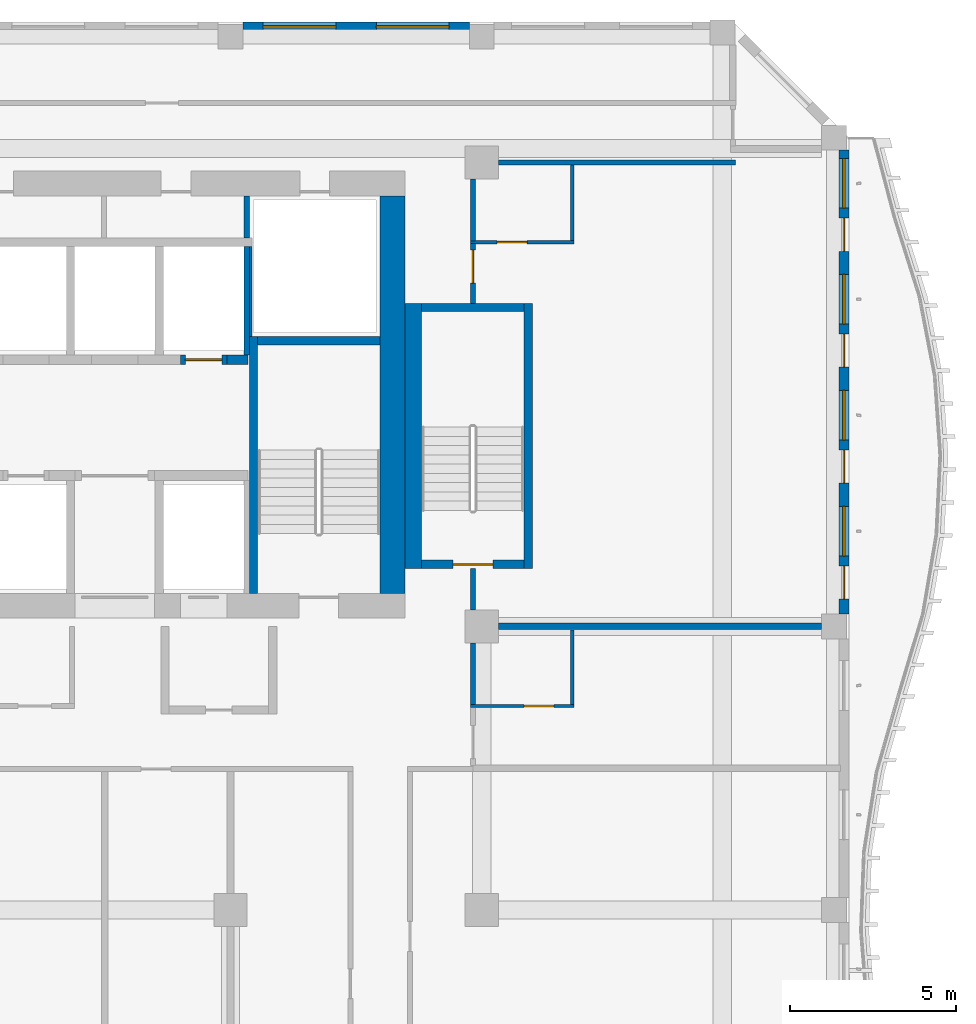
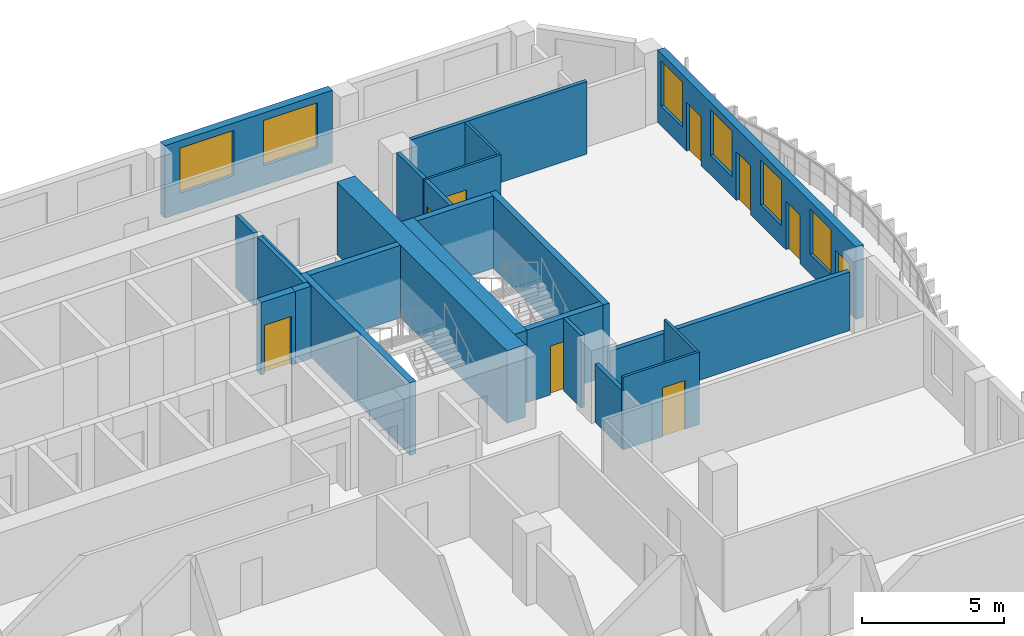
# One storey, part 9 of 21: 24 walls, 9 doors, 6 windows, 15 openings.
"""IFC4 building model written with IfcOpenShell, lengths in metres."""

import ifcopenshell
import ifcopenshell.guid

model = None  # the IFC model being written
_history = None  # IfcOwnerHistory: only IFC2X3 demands one
_inside = {}  # id of a spatial element -> (the spatial element, [elements in it])
_under = {}  # id of a project, library or spatial element -> (it, [spatial elements below it])
_declared = {}  # id of a project -> (the project, [libraries it declares])
_typed = {}  # id of a type object -> (the type object, [elements of that type])
_made_of = {}  # id of a material, layer set ... -> (it, [elements and type objects made of it])


def new_model(schema):
    """Start an empty IFC model of exactly this schema.

    Asked for "IFC4X3", IfcOpenShell would pick the latest addendum, in which some entities
    have other attributes; the version numbers below select the first issue.
    IFC2X3 requires an IfcOwnerHistory on every rooted entity: one is made here for all.
    """
    global model, _history
    if schema == "IFC4X3":
        model = ifcopenshell.file(schema_version=(4, 3, 0, 0))
    else:
        model = ifcopenshell.file(schema=schema)
    _inside.clear()
    _under.clear()
    _declared.clear()
    _typed.clear()
    _made_of.clear()
    _history = None
    if model.schema == "IFC2X3":
        org = make("IfcOrganization", Name="unknown")
        user = make(
            "IfcPersonAndOrganization",
            ThePerson=make("IfcPerson", FamilyName="unknown"),
            TheOrganization=org,
        )
        app = make(
            "IfcApplication",
            ApplicationDeveloper=org,
            Version="unknown",
            ApplicationFullName="unknown",
            ApplicationIdentifier="unknown",
        )
        _history = make(
            "IfcOwnerHistory",
            OwningUser=user,
            OwningApplication=app,
            ChangeAction="ADDED",
            CreationDate=0,
        )
    return model


def make(cls, **values):
    """One entity of the class cls with the attributes given. An attribute that is None is left unset."""
    return model.create_entity(
        cls, **{name: value for name, value in values.items() if value is not None}
    )


def rooted(cls, **values):
    """An entity with a GlobalId (a new one), such as an element, a storey or a relation."""
    return make(cls, GlobalId=ifcopenshell.guid.new(), OwnerHistory=_history, **values)


def si_unit(unit_type, name, prefix=None):
    """IfcSIUnit, for example si_unit("LENGTHUNIT", "METRE", prefix="MILLI")."""
    return make("IfcSIUnit", UnitType=unit_type, Prefix=prefix, Name=name)


def assignment(units):
    """IfcUnitAssignment: the units of a project."""
    return None if units is None else make("IfcUnitAssignment", Units=units)


def point(xyz):
    """IfcCartesianPoint."""
    return None if xyz is None else make("IfcCartesianPoint", Coordinates=xyz)


def direction(xyz):
    """IfcDirection."""
    return None if xyz is None else make("IfcDirection", DirectionRatios=xyz)


def frame(location, z_axis=None, x_axis=None):
    """IfcAxis2Placement3D, a coordinate frame: its origin and axes. An axis left out is left unset."""
    return make(
        "IfcAxis2Placement3D",
        Location=point(location),
        Axis=direction(z_axis),
        RefDirection=direction(x_axis),
    )


def frame_2d(location, x_axis=None):
    """IfcAxis2Placement2D, a coordinate frame in the plane: its origin and x axis."""
    return make(
        "IfcAxis2Placement2D", Location=point(location), RefDirection=direction(x_axis)
    )


def origin():
    """The frame at (0, 0, 0) with its axes left unset."""
    return frame((0.0, 0.0, 0.0))


def place(relative_to, where):
    """IfcLocalPlacement: puts the frame where relative to a parent placement (None: the world)."""
    return make(
        "IfcLocalPlacement", PlacementRelTo=relative_to, RelativePlacement=where
    )


def context(
    kind, dimensions, precision=None, world=None, true_north=None, identifier=None
):
    """IfcGeometricRepresentationContext, for example the 3D "Model" context."""
    return make(
        "IfcGeometricRepresentationContext",
        ContextIdentifier=identifier,
        ContextType=kind,
        CoordinateSpaceDimension=dimensions,
        Precision=precision,
        WorldCoordinateSystem=world,
        TrueNorth=true_north,
    )


def subcontext(parent, identifier, kind, view, scale=None):
    """IfcGeometricRepresentationSubContext, for example "Body" below "Model"."""
    return make(
        "IfcGeometricRepresentationSubContext",
        ContextIdentifier=identifier,
        ContextType=kind,
        ParentContext=parent,
        TargetScale=scale,
        TargetView=view,
    )


def project(units=None, contexts=None):
    """IfcProject with its units and contexts."""
    return rooted(
        "IfcProject",
        Name="project",
        RepresentationContexts=contexts,
        UnitsInContext=assignment(units),
    )


def spatial(cls, under=None, at=None, **own):
    """A site, building, storey or space (cls), placed at a placement, below another one or the project."""
    s = rooted(cls, ObjectPlacement=at, **own)
    if under is not None:
        _under.setdefault(under.id(), (under, []))[1].append(s)
    return s


def profile(cls, at=None, kind="AREA", **sizes):
    """A parametric profile (cls). Its sizes go by their IFC names, for example OverallWidth=200.0."""
    return make(cls, ProfileType=kind, Position=at, **sizes)


def rectangle(**sizes):
    """IfcRectangleProfileDef."""
    return profile("IfcRectangleProfileDef", **sizes)


def extrude(swept, where, along, depth):
    """IfcExtrudedAreaSolid: the profile swept, set in the frame where, extruded along a direction by depth."""
    return make(
        "IfcExtrudedAreaSolid",
        SweptArea=swept,
        Position=where,
        ExtrudedDirection=direction(along),
        Depth=depth,
    )


def shape(context_of_items, identifier, shape_type, items):
    """IfcShapeRepresentation: the items that make up one representation, for example the "Body"."""
    return make(
        "IfcShapeRepresentation",
        ContextOfItems=context_of_items,
        RepresentationIdentifier=identifier,
        RepresentationType=shape_type,
        Items=items,
    )


def source(mapping_origin, context_of_items, identifier, shape_type, items):
    """IfcRepresentationMap: a shape defined once, which mapped items show again and again."""
    return make(
        "IfcRepresentationMap",
        MappingOrigin=mapping_origin,
        MappedRepresentation=shape(context_of_items, identifier, shape_type, items),
    )


def transform(
    local_origin,
    x_axis=None,
    y_axis=None,
    z_axis=None,
    scale=None,
    scale2=None,
    scale3=None,
    uniform=True,
):
    """IfcCartesianTransformationOperator3D, or its non-uniform kind. x_axis, y_axis, z_axis: its Axis1, 2, 3."""
    if uniform:
        return make(
            "IfcCartesianTransformationOperator3D",
            Axis1=direction(x_axis),
            Axis2=direction(y_axis),
            LocalOrigin=point(local_origin),
            Scale=scale,
            Axis3=direction(z_axis),
        )
    return make(
        "IfcCartesianTransformationOperator3DnonUniform",
        Axis1=direction(x_axis),
        Axis2=direction(y_axis),
        LocalOrigin=point(local_origin),
        Scale=scale,
        Axis3=direction(z_axis),
        Scale2=scale2,
        Scale3=scale3,
    )


def mapped(mapping_source, mapping_target):
    """IfcMappedItem: shows the shape of a source again, moved by a transform."""
    return make(
        "IfcMappedItem", MappingSource=mapping_source, MappingTarget=mapping_target
    )


def material(Name=None, Category=None):
    """IfcMaterial."""
    return make("IfcMaterial", Name=Name, Category=Category)


def layer(
    of_material, thickness, ventilated=None, Name=None, Category=None, Priority=None
):
    """IfcMaterialLayer: one layer of a wall or slab, of a material (None: an air gap)."""
    return make(
        "IfcMaterialLayer",
        Material=of_material,
        LayerThickness=thickness,
        IsVentilated=ventilated,
        Name=Name,
        Category=Category,
        Priority=Priority,
    )


def layer_set(layers, Name=None):
    """IfcMaterialLayerSet."""
    return make("IfcMaterialLayerSet", MaterialLayers=layers, LayerSetName=Name)


def made_of(thing, what):
    """Note that an element or type object is made of a material, layer set ...; save() writes the relation."""
    if what is not None:
        _made_of.setdefault(what.id(), (what, []))[1].append(thing)
    return thing


def type_object(cls, material=None, **own):
    """A type object (cls), such as IfcWallType, which elements share."""
    return made_of(rooted(cls, **own), material)


def element(
    cls,
    number,
    at=None,
    inside=None,
    cuts=None,
    type_object=None,
    material=None,
    context=None,
    identifier="Body",
    shape_type=None,
    held_by="IfcProductDefinitionShape",
    body=None,
    shapes=None,
    **own,
):
    """One element of the class cls, such as IfcWall. Its Tag is "e" and its number.

    at: its placement. inside: the storey or other place that contains it. cuts: it is an
    opening in that element (IfcRelVoidsElement). A single representation is given by context,
    identifier, shape_type and body (its items); several are given by shapes. held_by: the class
    of the entity that holds the representations. save() writes the other relations.
    """
    e = rooted(cls, Tag="e%d" % number, ObjectPlacement=at, **own)
    if body is not None:
        shapes = [shape(context, identifier, shape_type, body)]
    if shapes is not None:
        e.Representation = make(held_by, Representations=shapes)
    if inside is not None:
        _inside.setdefault(inside.id(), (inside, []))[1].append(e)
    if cuts is not None:
        rooted(
            "IfcRelVoidsElement", RelatingBuildingElement=cuts, RelatedOpeningElement=e
        )
    if type_object is not None:
        _typed.setdefault(type_object.id(), (type_object, []))[1].append(e)
    return made_of(e, material)


def fill(opening, filler):
    """IfcRelFillsElement: the door or window that sits in an opening."""
    return rooted(
        "IfcRelFillsElement",
        RelatingOpeningElement=opening,
        RelatedBuildingElement=filler,
    )


def aggregate(whole, parts):
    """IfcRelAggregates: a whole, such as a stair, and the parts it consists of."""
    return rooted("IfcRelAggregates", RelatingObject=whole, RelatedObjects=parts)


def save(model, path):
    """Write the relations noted so far, then the file.

    IfcRelAggregates (storeys below a building ...), IfcRelContainedInSpatialStructure (elements
    in a storey), IfcRelDefinesByType, IfcRelAssociatesMaterial and IfcRelDeclares: one each for
    every whole, place, type object, material and project.
    """
    for whole, parts in _under.values():
        aggregate(whole, parts)
    for where, things in _inside.values():
        rooted(
            "IfcRelContainedInSpatialStructure",
            RelatedElements=things,
            RelatingStructure=where,
        )
    for kind, things in _typed.values():
        rooted("IfcRelDefinesByType", RelatedObjects=things, RelatingType=kind)
    for what, things in _made_of.values():
        rooted("IfcRelAssociatesMaterial", RelatedObjects=things, RelatingMaterial=what)
    for by, libraries in _declared.values():
        rooted("IfcRelDeclares", RelatingContext=by, RelatedDefinitions=libraries)
    model.write(path)


model = new_model("IFC4")

# Units and contexts
model_context = context("Model", 3, precision=1e-05, world=origin(), true_north=direction((0.0, 1.0)))
body_context = subcontext(model_context, "Body", "Model", "MODEL_VIEW")
ifc_project = project(units=[si_unit("LENGTHUNIT", "METRE"), si_unit("AREAUNIT", "SQUARE_METRE"), si_unit("VOLUMEUNIT", "CUBIC_METRE"), si_unit("PLANEANGLEUNIT", "RADIAN"), si_unit("MASSUNIT", "GRAM", prefix="KILO")], contexts=[model_context])

# Site, building, storey
site_placement = place(None, origin())
site = spatial("IfcSite", under=ifc_project, at=site_placement, CompositionType="ELEMENT")
building_placement = place(site_placement, origin())
building = spatial("IfcBuilding", under=site, at=building_placement, Name="Kilnfold Tower and Market Hall", CompositionType="ELEMENT")
storey_placement = place(building_placement, frame((0.0, 0.0, 216.89990234375)))
storey = spatial("IfcBuildingStorey", under=building, at=storey_placement, Name="L53", CompositionType="ELEMENT", Elevation=216.89990234375)

# Wall
ifc_material_1 = material(Name="Gypsum board on steel studs", Category="steel")
ifc_layer_1 = layer(ifc_material_1, 0.14990234375)
ifc_layer_set_1 = layer_set([ifc_layer_1], Name="Gypsum board on steel studs")
wall_type_1 = type_object("IfcWallType", Name="WALL CORRIDOR 150", PredefinedType="PARTITIONING", material=ifc_layer_set_1)
wall_1_placement = place(storey_placement, frame((19.89990234375, 5.639892578125, 0.0), z_axis=(0.0, 0.0, 1.0), x_axis=(0.0, 1.0, 0.0)))
element("IfcWall", 1, at=wall_1_placement, inside=storey, type_object=wall_type_1, Name="Partition LY31.19", PredefinedType="PARTITIONING", context=body_context, shape_type="SweptSolid", body=[
    extrude(rectangle(XDim=1.860107421875, YDim=0.14990234375, at=frame_2d((0.93017578125, 0.0))), origin(), (0.0, 0.0, 1.0), 2.52001953125),
])

# Wall, opening, door
wall_2_placement = place(storey_placement, frame((19.89990234375, 17.75, 0.0), z_axis=(0.0, 0.0, 1.0), x_axis=(0.0, 1.0, 0.0)))
wall_2 = element("IfcWall", 2, at=wall_2_placement, inside=storey, type_object=wall_type_1, Name="Partition LY31.20", PredefinedType="PARTITIONING", context=body_context, shape_type="SweptSolid", body=[
    extrude(rectangle(XDim=1.81005859375, YDim=0.14990234375, at=frame_2d((0.905029296875, 0.0))), origin(), (0.0, 0.0, 1.0), 3.1201171875),
])
opening_1_placement = place(wall_2_placement, frame((0.610107421875, 0.0, 0.0)))
opening_1 = element("IfcOpeningElement", 3, at=opening_1_placement, cuts=wall_2, Name="Opening D1", PredefinedType="OPENING", context=body_context, shape_type="SweptSolid", body=[
    extrude(rectangle(XDim=1.0, YDim=2.10009765625, at=frame_2d((0.5, 1.050048828125))), frame((0.0, 0.0849609375, 0.0), z_axis=(0.0, -1.0, 0.0), x_axis=(1.0, 0.0, 0.0)), (0.0, 0.0, 1.0), 0.169921875),
])
ifc_material_2 = material(Name="Timber veneer door leaf in steel frame", Category="steel")
door_type_1 = type_object("IfcDoorType", Name="DOOR ENTRY 1000 X2100", OperationType="NOTDEFINED", PredefinedType="DOOR", material=ifc_material_2)
door_1_placement = place(opening_1_placement, origin())
door_1 = element("IfcDoor", 4, at=door_1_placement, inside=storey, type_object=door_type_1, Name="Door D1", OperationType="SINGLE_SWING_LEFT", OverallHeight=2.10009765625, OverallWidth=1.0, PredefinedType="DOOR", context=body_context, shape_type="SweptSolid", body=[
    extrude(rectangle(XDim=1.0, YDim=2.10009765625, at=frame_2d((0.5, 1.050048828125))), frame((0.0, 0.02490234375, 0.0), z_axis=(0.0, -1.0, 0.0), x_axis=(1.0, 0.0, 0.0)), (0.0, 0.0, 1.0), 0.050048828125),
])
fill(opening_1, door_1)

# Walls
wall_3_placement = place(storey_placement, frame((19.89990234375, 8.5, 0.0), z_axis=(0.0, 0.0, 1.0), x_axis=(0.0, 1.0, 0.0)))
element("IfcWall", 5, at=wall_3_placement, inside=storey, type_object=wall_type_1, Name="Partition LY31.21", PredefinedType="PARTITIONING", context=body_context, shape_type="SweptSolid", body=[
    extrude(rectangle(XDim=1.25, YDim=0.14990234375, at=frame_2d((0.625, 0.0))), origin(), (0.0, 0.0, 1.0), 3.1201171875),
])
wall_4_placement = place(storey_placement, frame((20.6669921875, 22.0, 0.0), z_axis=(0.0, 0.0, 1.0), x_axis=(1.0, 0.0, 0.0)))
element("IfcWall", 6, at=wall_4_placement, inside=storey, type_object=wall_type_1, Name="Partition LY31.22", PredefinedType="PARTITIONING", context=body_context, shape_type="SweptSolid", body=[
    extrude(rectangle(XDim=7.157958984375, YDim=0.14990234375, at=frame_2d((3.5791015625, 0.0))), origin(), (0.0, 0.0, 1.0), 3.1201171875),
])
wall_5_placement = place(storey_placement, frame((19.89990234375, 19.639892578125, 0.0), z_axis=(0.0, 0.0, 1.0), x_axis=(0.0, 1.0, 0.0)))
element("IfcWall", 7, at=wall_5_placement, inside=storey, type_object=wall_type_1, Name="Partition LY31.23", PredefinedType="PARTITIONING", context=body_context, shape_type="SweptSolid", body=[
    extrude(rectangle(XDim=1.860107421875, YDim=0.14990234375, at=frame_2d((0.93017578125, 0.0))), origin(), (0.0, 0.0, 1.0), 3.1201171875),
])

# Wall, opening, door
ifc_material_3 = material(Name="Gypsum board on steel studs", Category="steel")
ifc_layer_2 = layer(ifc_material_3, 0.10009765625)
ifc_layer_set_2 = layer_set([ifc_layer_2], Name="Gypsum board on steel studs")
wall_type_2 = type_object("IfcWallType", Name="WALL PARTITION 100", PredefinedType="PARTITIONING", material=ifc_layer_set_2)
wall_6_placement = place(storey_placement, frame((22.951904296875, 5.60009765625, 0.0), z_axis=(0.0, 0.0, 1.0), x_axis=(-1.0, 0.0, 0.0)))
wall_6 = element("IfcWall", 8, at=wall_6_placement, inside=storey, type_object=wall_type_2, Name="Partition LY31.85", PredefinedType="PARTITIONING", context=body_context, shape_type="SweptSolid", body=[
    extrude(rectangle(XDim=3.125, YDim=0.10009765625, at=frame_2d((1.5625, 0.0))), origin(), (0.0, 0.0, 1.0), 3.1201171875),
])
opening_2_placement = place(wall_6_placement, frame((0.60595703125, 0.0, 0.0)))
opening_2 = element("IfcOpeningElement", 9, at=opening_2_placement, cuts=wall_6, Name="Opening D3", PredefinedType="OPENING", context=body_context, shape_type="SweptSolid", body=[
    extrude(rectangle(XDim=0.89990234375, YDim=2.10009765625, at=frame_2d((0.449951171875, 1.050048828125))), frame((0.0, 0.06005859375, 0.0), z_axis=(0.0, -1.0, 0.0), x_axis=(1.0, 0.0, 0.0)), (0.0, 0.0, 1.0), 0.1201171875),
])
ifc_material_4 = material(Name="Timber veneer door leaf in steel frame", Category="steel")
door_type_2 = type_object("IfcDoorType", Name="DOOR WC 900 X2100", OperationType="NOTDEFINED", PredefinedType="DOOR", material=ifc_material_4)
door_2_placement = place(opening_2_placement, origin())
door_2 = element("IfcDoor", 10, at=door_2_placement, inside=storey, type_object=door_type_2, Name="Door D3", OperationType="SINGLE_SWING_LEFT", OverallHeight=2.10009765625, OverallWidth=0.89990234375, PredefinedType="DOOR", context=body_context, shape_type="SweptSolid", body=[
    extrude(rectangle(XDim=0.89990234375, YDim=2.10009765625, at=frame_2d((0.449951171875, 1.050048828125))), frame((0.0, 0.02490234375, 0.0), z_axis=(0.0, -1.0, 0.0), x_axis=(1.0, 0.0, 0.0)), (0.0, 0.0, 1.0), 0.050048828125),
])
fill(opening_2, door_2)

# Wall
wall_7_placement = place(storey_placement, frame((22.902099609375, 5.64990234375, 0.0), z_axis=(0.0, 0.0, 1.0), x_axis=(0.0, 1.0, 0.0)))
element("IfcWall", 11, at=wall_7_placement, inside=storey, type_object=wall_type_2, Name="Partition LY31.86", PredefinedType="PARTITIONING", context=body_context, shape_type="SweptSolid", body=[
    extrude(rectangle(XDim=2.25, YDim=0.10009765625, at=frame_2d((1.125, 0.0))), origin(), (0.0, 0.0, 1.0), 3.1201171875),
])

# Wall, opening, door
wall_8_placement = place(storey_placement, frame((22.951904296875, 19.60009765625, 0.0), z_axis=(0.0, 0.0, 1.0), x_axis=(-1.0, 0.0, 0.0)))
wall_8 = element("IfcWall", 12, at=wall_8_placement, inside=storey, type_object=wall_type_2, Name="Partition LY31.89", PredefinedType="PARTITIONING", context=body_context, shape_type="SweptSolid", body=[
    extrude(rectangle(XDim=3.125, YDim=0.10009765625, at=frame_2d((1.5625, 0.0))), origin(), (0.0, 0.0, 1.0), 3.1201171875),
])
opening_3_placement = place(wall_8_placement, frame((1.4169921875, 0.0, 0.0)))
opening_3 = element("IfcOpeningElement", 13, at=opening_3_placement, cuts=wall_8, Name="Opening D3", PredefinedType="OPENING", context=body_context, shape_type="SweptSolid", body=[
    extrude(rectangle(XDim=0.89990234375, YDim=2.10009765625, at=frame_2d((0.449951171875, 1.050048828125))), frame((0.0, 0.06005859375, 0.0), z_axis=(0.0, -1.0, 0.0), x_axis=(1.0, 0.0, 0.0)), (0.0, 0.0, 1.0), 0.1201171875),
])
door_3_placement = place(opening_3_placement, origin())
door_3 = element("IfcDoor", 14, at=door_3_placement, inside=storey, type_object=door_type_2, Name="Door D3", OperationType="SINGLE_SWING_LEFT", OverallHeight=2.10009765625, OverallWidth=0.89990234375, PredefinedType="DOOR", context=body_context, shape_type="SweptSolid", body=[
    extrude(rectangle(XDim=0.89990234375, YDim=2.10009765625, at=frame_2d((0.449951171875, 1.050048828125))), frame((0.0, 0.02490234375, 0.0), z_axis=(0.0, -1.0, 0.0), x_axis=(1.0, 0.0, 0.0)), (0.0, 0.0, 1.0), 0.050048828125),
])
fill(opening_3, door_3)

# Walls
wall_9_placement = place(storey_placement, frame((22.902099609375, 19.64990234375, 0.0), z_axis=(0.0, 0.0, 1.0), x_axis=(0.0, 1.0, 0.0)))
element("IfcWall", 15, at=wall_9_placement, inside=storey, type_object=wall_type_2, Name="Partition LY31.90", PredefinedType="PARTITIONING", context=body_context, shape_type="SweptSolid", body=[
    extrude(rectangle(XDim=2.273193359375, YDim=0.10009765625, at=frame_2d((1.13671875, 0.0))), origin(), (0.0, 0.0, 1.0), 3.1201171875),
])
ifc_material_5 = material(Name="Gypsum board on steel studs", Category="steel")
ifc_layer_3 = layer(ifc_material_5, 0.199951171875)
ifc_layer_set_3 = layer_set([ifc_layer_3], Name="Gypsum board on steel studs")
wall_type_3 = type_object("IfcWallType", Name="WALL PARTY 200", PredefinedType="PARTITIONING", material=ifc_layer_set_3)
wall_10_placement = place(storey_placement, frame((20.6669921875, 8.0, 0.0), z_axis=(0.0, 0.0, 1.0), x_axis=(1.0, 0.0, 0.0)))
element("IfcWall", 16, at=wall_10_placement, inside=storey, type_object=wall_type_3, Name="Partition LY31.88", PredefinedType="PARTITIONING", context=body_context, shape_type="SweptSolid", body=[
    extrude(rectangle(XDim=9.758056640625, YDim=0.199951171875, at=frame_2d((4.87890625, 0.0))), origin(), (0.0, 0.0, 1.0), 2.52001953125),
])
ifc_material_6 = material(Name="Concrete C60", Category="concrete")
ifc_layer_4 = layer(ifc_material_6, 0.25)
ifc_layer_set_4 = layer_set([ifc_layer_4], Name="Concrete C60")
wall_type_4 = type_object("IfcWallType", Name="CORE WALL 250 C60", PredefinedType="SHEAR", material=ifc_layer_set_4)
shared_shape_1 = source(origin(), body_context, "Body", "SweptSolid", [
    extrude(rectangle(XDim=7.75, YDim=0.25, at=frame_2d((3.875, 0.0))), origin(), (0.0, 0.0, 1.0), 3.1201171875),
])
wall_11_placement = place(storey_placement, frame((13.27490234375, 9.0, 0.0), z_axis=(0.0, 0.0, 1.0), x_axis=(0.0, 1.0, 0.0)))
element("IfcWall", 17, at=wall_11_placement, inside=storey, type_object=wall_type_4, Name="Stair enclosure ST2", PredefinedType="SHEAR", context=body_context, shape_type="MappedRepresentation", body=[
    mapped(shared_shape_1, transform((0.0, 0.0, 0.0))),
])
shared_shape_2 = source(origin(), body_context, "Body", "SweptSolid", [
    extrude(rectangle(XDim=3.7001953125, YDim=0.25, at=frame_2d((1.85009765625, 0.0))), origin(), (0.0, 0.0, 1.0), 3.1201171875),
])
wall_12_placement = place(storey_placement, frame((13.39990234375, 16.625, 0.0), z_axis=(0.0, 0.0, 1.0), x_axis=(1.0, 0.0, 0.0)))
element("IfcWall", 18, at=wall_12_placement, inside=storey, type_object=wall_type_4, Name="Stair enclosure ST2", PredefinedType="SHEAR", context=body_context, shape_type="MappedRepresentation", body=[
    mapped(shared_shape_2, transform((0.0, 0.0, 0.0))),
])
shared_shape_3 = source(origin(), body_context, "Body", "SweptSolid", [
    extrude(rectangle(XDim=8.0, YDim=0.25, at=frame_2d((4.0, 0.0))), origin(), (0.0, 0.0, 1.0), 3.1201171875),
])
wall_13_placement = place(storey_placement, frame((21.574951171875, 9.75, 0.0), z_axis=(0.0, 0.0, 1.0), x_axis=(0.0, 1.0, 0.0)))
element("IfcWall", 19, at=wall_13_placement, inside=storey, type_object=wall_type_4, Name="Stair enclosure ST5", PredefinedType="SHEAR", context=body_context, shape_type="MappedRepresentation", body=[
    mapped(shared_shape_3, transform((0.0, 0.0, 0.0))),
])

# Wall, opening, door
shared_shape_4 = source(origin(), body_context, "Body", "SweptSolid", [
    extrude(rectangle(XDim=3.099853515625, YDim=0.25, at=frame_2d((1.5498046875, 0.0))), origin(), (0.0, 0.0, 1.0), 3.1201171875),
])
wall_14_placement = place(storey_placement, frame((18.35009765625, 9.875, 0.0), z_axis=(0.0, 0.0, 1.0), x_axis=(1.0, 0.0, 0.0)))
wall_14 = element("IfcWall", 20, at=wall_14_placement, inside=storey, type_object=wall_type_4, Name="Stair enclosure ST5", PredefinedType="SHEAR", context=body_context, shape_type="MappedRepresentation", body=[
    mapped(shared_shape_4, transform((0.0, 0.0, 0.0))),
])
opening_4_placement = place(wall_14_placement, frame((0.949951171875, 0.0, 0.0)))
opening_4 = element("IfcOpeningElement", 21, at=opening_4_placement, cuts=wall_14, Name="Opening SD1", PredefinedType="OPENING", context=body_context, shape_type="SweptSolid", body=[
    extrude(rectangle(XDim=1.199951171875, YDim=2.10009765625, at=frame_2d((0.60009765625, 1.050048828125))), frame((0.0, 0.135009765625, 0.0), z_axis=(0.0, -1.0, 0.0), x_axis=(1.0, 0.0, 0.0)), (0.0, 0.0, 1.0), 0.27001953125),
])
ifc_material_7 = material(Name="Steel door set with fire-resisting leaf", Category="steel")
door_type_3 = type_object("IfcDoorType", Name="STAIR FLOOR DOOR 1200X2100", OperationType="NOTDEFINED", PredefinedType="DOOR", material=ifc_material_7)
door_4_placement = place(opening_4_placement, origin())
door_4 = element("IfcDoor", 22, at=door_4_placement, inside=storey, type_object=door_type_3, Name="Exit stair ST5 door", OperationType="DOUBLE_DOOR_SINGLE_SWING", OverallHeight=2.10009765625, OverallWidth=1.199951171875, PredefinedType="DOOR", context=body_context, shape_type="SweptSolid", body=[
    extrude(rectangle(XDim=1.199951171875, YDim=2.10009765625, at=frame_2d((0.60009765625, 1.050048828125))), frame((0.0, 0.02490234375, 0.0), z_axis=(0.0, -1.0, 0.0), x_axis=(1.0, 0.0, 0.0)), (0.0, 0.0, 1.0), 0.050048828125),
])
fill(opening_4, door_4)

# Walls
wall_15_placement = place(storey_placement, frame((18.35009765625, 17.625, 0.0), z_axis=(0.0, 0.0, 1.0), x_axis=(1.0, 0.0, 0.0)))
element("IfcWall", 23, at=wall_15_placement, inside=storey, type_object=wall_type_4, Name="Stair enclosure ST5", PredefinedType="SHEAR", context=body_context, shape_type="MappedRepresentation", body=[
    mapped(shared_shape_4, transform((0.0, 0.0, 0.0))),
])
ifc_material_8 = material(Name="Concrete C60", Category="concrete")
ifc_layer_5 = layer(ifc_material_8, 0.300048828125)
ifc_layer_set_5 = layer_set([ifc_layer_5], Name="Concrete C60")
wall_type_5 = type_object("IfcWallType", Name="CORE WALL 300 C60", PredefinedType="SHEAR", material=ifc_layer_set_5)
shared_shape_5 = source(origin(), body_context, "Body", "SweptSolid", [
    extrude(rectangle(XDim=0.64013671875, YDim=0.300048828125, at=frame_2d((0.320068359375, 0.0))), origin(), (0.0, 0.0, 1.0), 3.1201171875),
])
wall_16_placement = place(storey_placement, frame((12.469970703125, 16.050048828125, 0.0), z_axis=(0.0, 0.0, 1.0), x_axis=(1.0, 0.0, 0.0)))
element("IfcWall", 24, at=wall_16_placement, inside=storey, type_object=wall_type_5, Name="Core spine wall", PredefinedType="SHEAR", context=body_context, shape_type="MappedRepresentation", body=[
    mapped(shared_shape_5, transform((0.0, 0.0, 0.0))),
])
ifc_material_9 = material(Name="Concrete C60", Category="concrete")
ifc_layer_6 = layer(ifc_material_9, 0.75)
ifc_layer_set_6 = layer_set([ifc_layer_6], Name="Concrete C60")
wall_type_6 = type_object("IfcWallType", Name="CORE WALL 750 C60", PredefinedType="SHEAR", material=ifc_layer_set_6)
shared_shape_6 = source(origin(), body_context, "Body", "SweptSolid", [
    extrude(rectangle(XDim=12.0, YDim=0.75, at=frame_2d((6.0, 0.0))), origin(), (0.0, 0.0, 1.0), 3.1201171875),
])
wall_17_placement = place(storey_placement, frame((17.47509765625, 9.0, 0.0), z_axis=(0.0, 0.0, 1.0), x_axis=(0.0, 1.0, 0.0)))
element("IfcWall", 25, at=wall_17_placement, inside=storey, type_object=wall_type_6, Name="Core outer wall east", PredefinedType="SHEAR", context=body_context, shape_type="MappedRepresentation", body=[
    mapped(shared_shape_6, transform((0.0, 0.0, 0.0))),
])
ifc_material_10 = material(Name="Concrete C60", Category="concrete")
ifc_layer_7 = layer(ifc_material_10, 0.5)
ifc_layer_set_7 = layer_set([ifc_layer_7], Name="Concrete C60")
wall_type_7 = type_object("IfcWallType", Name="CORE WALL 500 C60", PredefinedType="SHEAR", material=ifc_layer_set_7)
shared_shape_7 = source(origin(), body_context, "Body", "SweptSolid", [
    extrude(rectangle(XDim=8.0, YDim=0.5, at=frame_2d((4.0, 0.0))), origin(), (0.0, 0.0, 1.0), 3.1201171875),
])
wall_18_placement = place(storey_placement, frame((18.10009765625, 9.75, 0.0), z_axis=(0.0, 0.0, 1.0), x_axis=(0.0, 1.0, 0.0)))
element("IfcWall", 26, at=wall_18_placement, inside=storey, type_object=wall_type_7, Name="Stair enclosure ST5", PredefinedType="SHEAR", context=body_context, shape_type="MappedRepresentation", body=[
    mapped(shared_shape_7, transform((0.0, 0.0, 0.0))),
])

# Wall, openings, windows
ifc_material_11 = material(Name="Precast concrete C50/60", Category="concrete")
ifc_layer_8 = layer(ifc_material_11, 0.300048828125)
ifc_layer_set_8 = layer_set([ifc_layer_8], Name="Precast concrete C50/60")
wall_type_8 = type_object("IfcWallType", Name="PRECAST WALL 300", PredefinedType="SOLIDWALL", material=ifc_layer_set_8)
shared_shape_8 = source(origin(), body_context, "Body", "SweptSolid", [
    extrude(rectangle(XDim=6.83349609375, YDim=0.300048828125, at=frame_2d((3.416748046875, 0.0))), origin(), (0.0, 0.0, 1.0), 3.1201171875),
])
wall_19_placement = place(storey_placement, frame((19.791748046875, 26.10009765625, 0.0), z_axis=(0.0, 0.0, 1.0), x_axis=(-1.0, 0.0, 0.0)))
wall_19 = element("IfcWall", 27, at=wall_19_placement, inside=storey, type_object=wall_type_8, Name="External wall L53 N", PredefinedType="SOLIDWALL", context=body_context, shape_type="MappedRepresentation", body=[
    mapped(shared_shape_8, transform((0.0, 0.0, 0.0))),
])
opening_5_placement = place(wall_19_placement, frame((0.6083984375, 0.0, 0.85009765625)))
opening_5 = element("IfcOpeningElement", 28, at=opening_5_placement, cuts=wall_19, Name="Opening W2", PredefinedType="OPENING", context=body_context, shape_type="SweptSolid", body=[
    extrude(rectangle(XDim=2.199951171875, YDim=1.949951171875, at=frame_2d((1.10009765625, 0.97509765625))), frame((0.0, 0.16015625, 0.0), z_axis=(0.0, -1.0, 0.0), x_axis=(1.0, 0.0, 0.0)), (0.0, 0.0, 1.0), 0.320068359375),
])
opening_6_placement = place(wall_19_placement, frame((4.02490234375, 0.0, 0.85009765625)))
opening_6 = element("IfcOpeningElement", 29, at=opening_6_placement, cuts=wall_19, Name="Opening W2", PredefinedType="OPENING", context=body_context, shape_type="SweptSolid", body=[
    extrude(rectangle(XDim=2.199951171875, YDim=1.949951171875, at=frame_2d((1.10009765625, 0.97509765625))), frame((0.0, 0.16015625, 0.0), z_axis=(0.0, -1.0, 0.0), x_axis=(1.0, 0.0, 0.0)), (0.0, 0.0, 1.0), 0.320068359375),
])
ifc_material_12 = material(Name="Aluminium frame and double glazing", Category="aluminium")
window_type_1 = type_object("IfcWindowType", Name="WINDOW W2 2200X1950", PartitioningType="SINGLE_PANEL", PredefinedType="WINDOW", material=ifc_material_12)
window_1_placement = place(opening_5_placement, origin())
window_1 = element("IfcWindow", 30, at=window_1_placement, inside=storey, type_object=window_type_1, Name="Window W2 L53 N-1", OverallHeight=1.949951171875, OverallWidth=2.199951171875, PartitioningType="SINGLE_PANEL", PredefinedType="WINDOW", context=body_context, shape_type="SweptSolid", body=[
    extrude(rectangle(XDim=2.199951171875, YDim=1.949951171875, at=frame_2d((1.10009765625, 0.97509765625))), frame((0.0, 0.030029296875, 0.0), z_axis=(0.0, -1.0, 0.0), x_axis=(1.0, 0.0, 0.0)), (0.0, 0.0, 1.0), 0.06005859375),
])
fill(opening_5, window_1)
window_2_placement = place(opening_6_placement, origin())
window_2 = element("IfcWindow", 31, at=window_2_placement, inside=storey, type_object=window_type_1, Name="Window W2 L53 N-2", OverallHeight=1.949951171875, OverallWidth=2.199951171875, PartitioningType="SINGLE_PANEL", PredefinedType="WINDOW", context=body_context, shape_type="SweptSolid", body=[
    extrude(rectangle(XDim=2.199951171875, YDim=1.949951171875, at=frame_2d((1.10009765625, 0.97509765625))), frame((0.0, 0.030029296875, 0.0), z_axis=(0.0, -1.0, 0.0), x_axis=(1.0, 0.0, 0.0)), (0.0, 0.0, 1.0), 0.06005859375),
])
fill(opening_6, window_2)

# Wall, openings, doors, windows
shared_shape_9 = source(origin(), body_context, "Body", "SweptSolid", [
    extrude(rectangle(XDim=14.0, YDim=0.300048828125, at=frame_2d((7.0, 0.0))), origin(), (0.0, 0.0, 1.0), 3.1201171875),
])
wall_20_placement = place(storey_placement, frame((31.10009765625, 8.375, 0.0), z_axis=(0.0, 0.0, 1.0), x_axis=(0.0, 1.0, 0.0)))
wall_20 = element("IfcWall", 32, at=wall_20_placement, inside=storey, type_object=wall_type_8, Name="External wall L53 E", PredefinedType="SOLIDWALL", context=body_context, shape_type="MappedRepresentation", body=[
    mapped(shared_shape_9, transform((0.0, 0.0, 0.0))),
])
opening_7_placement = place(wall_20_placement, frame((1.75, 0.0, 0.85009765625)))
opening_7 = element("IfcOpeningElement", 33, at=opening_7_placement, cuts=wall_20, Name="Opening W4", PredefinedType="OPENING", context=body_context, shape_type="SweptSolid", body=[
    extrude(rectangle(XDim=1.5, YDim=1.949951171875, at=frame_2d((0.75, 0.97509765625))), frame((0.0, 0.16015625, 0.0), z_axis=(0.0, -1.0, 0.0), x_axis=(1.0, 0.0, 0.0)), (0.0, 0.0, 1.0), 0.320068359375),
])
opening_8_placement = place(wall_20_placement, frame((0.449951171875, 0.0, 0.0)))
opening_8 = element("IfcOpeningElement", 34, at=opening_8_placement, cuts=wall_20, Name="Opening BD1", PredefinedType="OPENING", context=body_context, shape_type="SweptSolid", body=[
    extrude(rectangle(XDim=1.0, YDim=2.10009765625, at=frame_2d((0.5, 1.050048828125))), frame((0.0, 0.16015625, 0.0), z_axis=(0.0, -1.0, 0.0), x_axis=(1.0, 0.0, 0.0)), (0.0, 0.0, 1.0), 0.320068359375),
])
opening_9_placement = place(wall_20_placement, frame((5.25, 0.0, 0.85009765625)))
opening_9 = element("IfcOpeningElement", 35, at=opening_9_placement, cuts=wall_20, Name="Opening W4", PredefinedType="OPENING", context=body_context, shape_type="SweptSolid", body=[
    extrude(rectangle(XDim=1.5, YDim=1.949951171875, at=frame_2d((0.75, 0.97509765625))), frame((0.0, 0.16015625, 0.0), z_axis=(0.0, -1.0, 0.0), x_axis=(1.0, 0.0, 0.0)), (0.0, 0.0, 1.0), 0.320068359375),
])
opening_10_placement = place(wall_20_placement, frame((3.949951171875, 0.0, 0.0)))
opening_10 = element("IfcOpeningElement", 36, at=opening_10_placement, cuts=wall_20, Name="Opening BD1", PredefinedType="OPENING", context=body_context, shape_type="SweptSolid", body=[
    extrude(rectangle(XDim=1.0, YDim=2.10009765625, at=frame_2d((0.5, 1.050048828125))), frame((0.0, 0.16015625, 0.0), z_axis=(0.0, -1.0, 0.0), x_axis=(1.0, 0.0, 0.0)), (0.0, 0.0, 1.0), 0.320068359375),
])
opening_11_placement = place(wall_20_placement, frame((8.75, 0.0, 0.85009765625)))
opening_11 = element("IfcOpeningElement", 37, at=opening_11_placement, cuts=wall_20, Name="Opening W4", PredefinedType="OPENING", context=body_context, shape_type="SweptSolid", body=[
    extrude(rectangle(XDim=1.5, YDim=1.949951171875, at=frame_2d((0.75, 0.97509765625))), frame((0.0, 0.16015625, 0.0), z_axis=(0.0, -1.0, 0.0), x_axis=(1.0, 0.0, 0.0)), (0.0, 0.0, 1.0), 0.320068359375),
])
opening_12_placement = place(wall_20_placement, frame((7.449951171875, 0.0, 0.0)))
opening_12 = element("IfcOpeningElement", 38, at=opening_12_placement, cuts=wall_20, Name="Opening BD1", PredefinedType="OPENING", context=body_context, shape_type="SweptSolid", body=[
    extrude(rectangle(XDim=1.0, YDim=2.10009765625, at=frame_2d((0.5, 1.050048828125))), frame((0.0, 0.16015625, 0.0), z_axis=(0.0, -1.0, 0.0), x_axis=(1.0, 0.0, 0.0)), (0.0, 0.0, 1.0), 0.320068359375),
])
opening_13_placement = place(wall_20_placement, frame((12.25, 0.0, 0.85009765625)))
opening_13 = element("IfcOpeningElement", 39, at=opening_13_placement, cuts=wall_20, Name="Opening W4", PredefinedType="OPENING", context=body_context, shape_type="SweptSolid", body=[
    extrude(rectangle(XDim=1.5, YDim=1.949951171875, at=frame_2d((0.75, 0.97509765625))), frame((0.0, 0.16015625, 0.0), z_axis=(0.0, -1.0, 0.0), x_axis=(1.0, 0.0, 0.0)), (0.0, 0.0, 1.0), 0.320068359375),
])
opening_14_placement = place(wall_20_placement, frame((10.949951171875, 0.0, 0.0)))
opening_14 = element("IfcOpeningElement", 40, at=opening_14_placement, cuts=wall_20, Name="Opening BD1", PredefinedType="OPENING", context=body_context, shape_type="SweptSolid", body=[
    extrude(rectangle(XDim=1.0, YDim=2.10009765625, at=frame_2d((0.5, 1.050048828125))), frame((0.0, 0.16015625, 0.0), z_axis=(0.0, -1.0, 0.0), x_axis=(1.0, 0.0, 0.0)), (0.0, 0.0, 1.0), 0.320068359375),
])
ifc_material_13 = material(Name="Aluminium frame and double glazing", Category="aluminium")
door_type_4 = type_object("IfcDoorType", Name="BALCONY DOOR 1000X2100", OperationType="NOTDEFINED", PredefinedType="DOOR", material=ifc_material_13)
door_5_placement = place(opening_8_placement, origin())
door_5 = element("IfcDoor", 41, at=door_5_placement, inside=storey, type_object=door_type_4, Name="Balcony door BD1 L53 E-1", OperationType="SINGLE_SWING_LEFT", OverallHeight=2.10009765625, OverallWidth=1.0, PredefinedType="DOOR", context=body_context, shape_type="SweptSolid", body=[
    extrude(rectangle(XDim=1.0, YDim=2.10009765625, at=frame_2d((0.5, 1.050048828125))), frame((0.0, 0.02490234375, 0.0), z_axis=(0.0, -1.0, 0.0), x_axis=(1.0, 0.0, 0.0)), (0.0, 0.0, 1.0), 0.050048828125),
])
fill(opening_8, door_5)
door_6_placement = place(opening_10_placement, origin())
door_6 = element("IfcDoor", 42, at=door_6_placement, inside=storey, type_object=door_type_4, Name="Balcony door BD1 L53 E-2", OperationType="SINGLE_SWING_RIGHT", OverallHeight=2.10009765625, OverallWidth=1.0, PredefinedType="DOOR", context=body_context, shape_type="SweptSolid", body=[
    extrude(rectangle(XDim=1.0, YDim=2.10009765625, at=frame_2d((0.5, 1.050048828125))), frame((0.0, 0.02490234375, 0.0), z_axis=(0.0, -1.0, 0.0), x_axis=(1.0, 0.0, 0.0)), (0.0, 0.0, 1.0), 0.050048828125),
])
fill(opening_10, door_6)
door_7_placement = place(opening_12_placement, origin())
door_7 = element("IfcDoor", 43, at=door_7_placement, inside=storey, type_object=door_type_4, Name="Balcony door BD1 L53 E-3", OperationType="SINGLE_SWING_LEFT", OverallHeight=2.10009765625, OverallWidth=1.0, PredefinedType="DOOR", context=body_context, shape_type="SweptSolid", body=[
    extrude(rectangle(XDim=1.0, YDim=2.10009765625, at=frame_2d((0.5, 1.050048828125))), frame((0.0, 0.02490234375, 0.0), z_axis=(0.0, -1.0, 0.0), x_axis=(1.0, 0.0, 0.0)), (0.0, 0.0, 1.0), 0.050048828125),
])
fill(opening_12, door_7)
door_8_placement = place(opening_14_placement, origin())
door_8 = element("IfcDoor", 44, at=door_8_placement, inside=storey, type_object=door_type_4, Name="Balcony door BD1 L53 E-4", OperationType="SINGLE_SWING_RIGHT", OverallHeight=2.10009765625, OverallWidth=1.0, PredefinedType="DOOR", context=body_context, shape_type="SweptSolid", body=[
    extrude(rectangle(XDim=1.0, YDim=2.10009765625, at=frame_2d((0.5, 1.050048828125))), frame((0.0, 0.02490234375, 0.0), z_axis=(0.0, -1.0, 0.0), x_axis=(1.0, 0.0, 0.0)), (0.0, 0.0, 1.0), 0.050048828125),
])
fill(opening_14, door_8)
ifc_material_14 = material(Name="Aluminium frame and double glazing", Category="aluminium")
window_type_2 = type_object("IfcWindowType", Name="WINDOW W4 1500X1950", PartitioningType="SINGLE_PANEL", PredefinedType="WINDOW", material=ifc_material_14)
window_3_placement = place(opening_7_placement, origin())
window_3 = element("IfcWindow", 45, at=window_3_placement, inside=storey, type_object=window_type_2, Name="Window W4 L53 E-1", OverallHeight=1.949951171875, OverallWidth=1.5, PartitioningType="SINGLE_PANEL", PredefinedType="WINDOW", context=body_context, shape_type="SweptSolid", body=[
    extrude(rectangle(XDim=1.5, YDim=1.949951171875, at=frame_2d((0.75, 0.97509765625))), frame((0.0, 0.030029296875, 0.0), z_axis=(0.0, -1.0, 0.0), x_axis=(1.0, 0.0, 0.0)), (0.0, 0.0, 1.0), 0.06005859375),
])
fill(opening_7, window_3)
window_4_placement = place(opening_9_placement, origin())
window_4 = element("IfcWindow", 46, at=window_4_placement, inside=storey, type_object=window_type_2, Name="Window W4 L53 E-2", OverallHeight=1.949951171875, OverallWidth=1.5, PartitioningType="SINGLE_PANEL", PredefinedType="WINDOW", context=body_context, shape_type="SweptSolid", body=[
    extrude(rectangle(XDim=1.5, YDim=1.949951171875, at=frame_2d((0.75, 0.97509765625))), frame((0.0, 0.030029296875, 0.0), z_axis=(0.0, -1.0, 0.0), x_axis=(1.0, 0.0, 0.0)), (0.0, 0.0, 1.0), 0.06005859375),
])
fill(opening_9, window_4)
window_5_placement = place(opening_11_placement, origin())
window_5 = element("IfcWindow", 47, at=window_5_placement, inside=storey, type_object=window_type_2, Name="Window W4 L53 E-3", OverallHeight=1.949951171875, OverallWidth=1.5, PartitioningType="SINGLE_PANEL", PredefinedType="WINDOW", context=body_context, shape_type="SweptSolid", body=[
    extrude(rectangle(XDim=1.5, YDim=1.949951171875, at=frame_2d((0.75, 0.97509765625))), frame((0.0, 0.030029296875, 0.0), z_axis=(0.0, -1.0, 0.0), x_axis=(1.0, 0.0, 0.0)), (0.0, 0.0, 1.0), 0.06005859375),
])
fill(opening_11, window_5)
window_6_placement = place(opening_13_placement, origin())
window_6 = element("IfcWindow", 48, at=window_6_placement, inside=storey, type_object=window_type_2, Name="Window W4 L53 E-4", OverallHeight=1.949951171875, OverallWidth=1.5, PartitioningType="SINGLE_PANEL", PredefinedType="WINDOW", context=body_context, shape_type="SweptSolid", body=[
    extrude(rectangle(XDim=1.5, YDim=1.949951171875, at=frame_2d((0.75, 0.97509765625))), frame((0.0, 0.030029296875, 0.0), z_axis=(0.0, -1.0, 0.0), x_axis=(1.0, 0.0, 0.0)), (0.0, 0.0, 1.0), 0.06005859375),
])
fill(opening_13, window_6)

# Wall, opening, door
ifc_material_15 = material(Name="Gypsum shaft wall system")
ifc_layer_9 = layer(ifc_material_15, 0.300048828125)
ifc_layer_set_9 = layer_set([ifc_layer_9], Name="Gypsum shaft wall system")
wall_type_9 = type_object("IfcWallType", Name="SHAFT WALL 300", PredefinedType="PARTITIONING", material=ifc_layer_set_9)
shared_shape_10 = source(origin(), body_context, "Body", "SweptSolid", [
    extrude(rectangle(XDim=1.39990234375, YDim=0.300048828125, at=frame_2d((0.699951171875, 0.0))), origin(), (0.0, 0.0, 1.0), 3.1201171875),
])
wall_21_placement = place(storey_placement, frame((11.070068359375, 16.050048828125, 0.0), z_axis=(0.0, 0.0, 1.0), x_axis=(1.0, 0.0, 0.0)))
wall_21 = element("IfcWall", 49, at=wall_21_placement, inside=storey, type_object=wall_type_9, Name="Lift shaft front wall", PredefinedType="PARTITIONING", context=body_context, shape_type="MappedRepresentation", body=[
    mapped(shared_shape_10, transform((0.0, 0.0, 0.0))),
])
opening_15_placement = place(wall_21_placement, frame((0.14990234375, 0.0, 0.0)))
opening_15 = element("IfcOpeningElement", 50, at=opening_15_placement, cuts=wall_21, Name="Opening LD2", PredefinedType="OPENING", context=body_context, shape_type="SweptSolid", body=[
    extrude(rectangle(XDim=1.10009765625, YDim=2.10009765625, at=frame_2d((0.550048828125, 1.050048828125))), frame((0.0, 0.16015625, 0.0), z_axis=(0.0, -1.0, 0.0), x_axis=(1.0, 0.0, 0.0)), (0.0, 0.0, 1.0), 0.320068359375),
])
ifc_material_16 = material(Name="Steel door set with fire-resisting leaf", Category="steel")
door_type_5 = type_object("IfcDoorType", Name="LANDING DOOR 1100X2100", OperationType="NOTDEFINED", PredefinedType="DOOR", material=ifc_material_16)
door_9_placement = place(opening_15_placement, origin())
door_9 = element("IfcDoor", 51, at=door_9_placement, inside=storey, type_object=door_type_5, Name="Landing door MR6", OperationType="DOUBLE_DOOR_SLIDING", OverallHeight=2.10009765625, OverallWidth=1.10009765625, PredefinedType="DOOR", context=body_context, shape_type="SweptSolid", body=[
    extrude(rectangle(XDim=1.10009765625, YDim=2.10009765625, at=frame_2d((0.550048828125, 1.050048828125))), frame((0.0, 0.02490234375, 0.0), z_axis=(0.0, -1.0, 0.0), x_axis=(1.0, 0.0, 0.0)), (0.0, 0.0, 1.0), 0.050048828125),
])
fill(opening_15, door_9)

# Walls
ifc_material_17 = material(Name="Gypsum shaft wall system")
ifc_layer_10 = layer(ifc_material_17, 0.1650390625)
ifc_layer_set_10 = layer_set([ifc_layer_10], Name="Gypsum shaft wall system")
wall_type_10 = type_object("IfcWallType", Name="SHAFT WALL 165", PredefinedType="PARTITIONING", material=ifc_layer_set_10)
shared_shape_11 = source(origin(), body_context, "Body", "SweptSolid", [
    extrude(rectangle(XDim=3.275146484375, YDim=0.1650390625, at=frame_2d((1.6376953125, 0.0))), origin(), (0.0, 0.0, 1.0), 3.1201171875),
])
wall_22_placement = place(storey_placement, frame((13.0673828125, 16.199951171875, 0.0), z_axis=(0.0, 0.0, 1.0), x_axis=(0.0, 1.0, 0.0)))
element("IfcWall", 52, at=wall_22_placement, inside=storey, type_object=wall_type_10, Name="Lift shaft wall", PredefinedType="PARTITIONING", context=body_context, shape_type="MappedRepresentation", body=[
    mapped(shared_shape_11, transform((0.0, 0.0, 0.0))),
])
shared_shape_12 = source(origin(), body_context, "Body", "SweptSolid", [
    extrude(rectangle(XDim=1.27490234375, YDim=0.1650390625, at=frame_2d((0.637451171875, 0.0))), origin(), (0.0, 0.0, 1.0), 3.1201171875),
])
wall_23_placement = place(storey_placement, frame((13.0673828125, 19.72509765625, 0.0), z_axis=(0.0, 0.0, 1.0), x_axis=(0.0, 1.0, 0.0)))
element("IfcWall", 53, at=wall_23_placement, inside=storey, type_object=wall_type_10, Name="Lift shaft wall", PredefinedType="PARTITIONING", context=body_context, shape_type="MappedRepresentation", body=[
    mapped(shared_shape_12, transform((0.0, 0.0, 0.0))),
])
ifc_material_18 = material(Name="Gypsum shaft wall system")
ifc_layer_11 = layer(ifc_material_18, 0.0849609375)
ifc_layer_set_11 = layer_set([ifc_layer_11], Name="Gypsum shaft wall system")
wall_type_11 = type_object("IfcWallType", Name="SHAFT WALL 85", PredefinedType="PARTITIONING", material=ifc_layer_set_11)
shared_shape_13 = source(origin(), body_context, "Body", "SweptSolid", [
    extrude(rectangle(XDim=2.72509765625, YDim=0.0849609375, at=frame_2d((1.362548828125, 0.0))), origin(), (0.0, 0.0, 1.0), 3.1201171875),
])
wall_24_placement = place(storey_placement, frame((13.1923828125, 16.75, 0.0), z_axis=(0.0, 0.0, 1.0), x_axis=(0.0, 1.0, 0.0)))
element("IfcWall", 54, at=wall_24_placement, inside=storey, type_object=wall_type_11, Name="Lift shaft wall", PredefinedType="PARTITIONING", context=body_context, shape_type="MappedRepresentation", body=[
    mapped(shared_shape_13, transform((0.0, 0.0, 0.0))),
])

save(model, "model.ifc")
